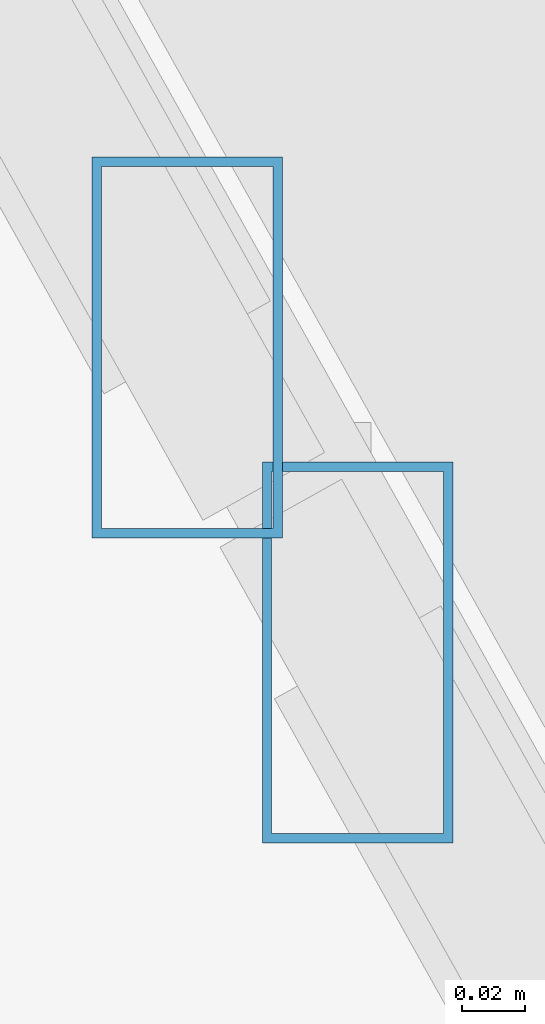
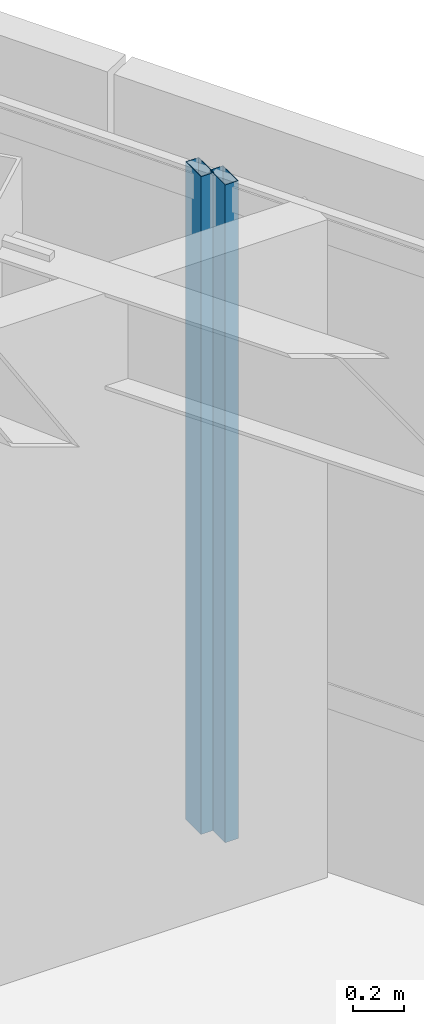
# One storey, part 30 of 48: 2 members, 2 elements without a shape of their own.
"""IFC4 building model written with IfcOpenShell, lengths in metres."""

from ifc_helpers import new_model, si_unit, direction, frame, origin, origin_2d, place, context, subcontext, project, spatial, hollow_rectangle, extrude, source, transform, mapped, material, material_profile, profile_set, type_object, type_shapes, element, aggregate, save


model = new_model("IFC4")

# Units and contexts
model_context = context("Model", 3, precision=1e-05, world=origin(), true_north=direction((0.0, 1.0)))
body_context = subcontext(model_context, "Body", "Model", "MODEL_VIEW")
ifc_project = project(units=[si_unit("LENGTHUNIT", "METRE"), si_unit("AREAUNIT", "SQUARE_METRE"), si_unit("VOLUMEUNIT", "CUBIC_METRE"), si_unit("PLANEANGLEUNIT", "RADIAN"), si_unit("MASSUNIT", "GRAM", prefix="KILO")], contexts=[model_context])

# Site, building, storey
site_placement = place(None, origin())
site = spatial("IfcSite", under=ifc_project, at=site_placement, CompositionType="ELEMENT")
building_placement = place(site_placement, origin())
building = spatial("IfcBuilding", under=site, at=building_placement, Name="Caelisora Broadcast Tower", CompositionType="ELEMENT")
storey_placement = place(building_placement, frame((0.0, 0.0, 300.0)))
storey = spatial("IfcBuildingStorey", under=building, at=storey_placement, Name="L79", CompositionType="ELEMENT", Elevation=300.0)

# Curtain wall, member
ifc_material_1 = material(Name="Unitised Aluminium Insulated Shadow-Box Spandrel Curtain Wall", Category="aluminium")
curtain_wall_type = type_object("IfcCurtainWallType", Name="CW-SP3", PredefinedType="NOTDEFINED", material=ifc_material_1)
curtain_wall_1_placement = place(storey_placement, origin())
curtain_wall_1 = element("IfcCurtainWall", 1, at=curtain_wall_1_placement, inside=storey, type_object=curtain_wall_type, Name="L79 curtain wall CW-SP3", PredefinedType="NOTDEFINED")
ifc_material_2 = material(Name="Aluminium 6063-T6 Anodised Terracotta Bronze", Category="aluminium")
ifc_material_profile = material_profile(ifc_material_2, hollow_rectangle(XDim=0.06005859375, YDim=0.1201171875, WallThickness=0.0029296875, at=origin_2d()), Name="Aluminium 6063-T6 Anodised Terracotta Bronze")
ifc_profile_set = profile_set([ifc_material_profile], Name="Aluminium 6063-T6 Anodised Terracotta Bronze")
member_type = type_object("IfcMemberType", Name="CWM-04", PredefinedType="MULLION", material=ifc_profile_set)
shared_shape = source(origin(), body_context, "Body", "SweptSolid", [
    extrude(hollow_rectangle(XDim=0.06005859375, YDim=0.1201171875, WallThickness=0.0029296875, at=origin_2d()), origin(), (0.0, 0.0, 1.0), 3.14990234375),
])
type_shapes(member_type, [shared_shape])
member_1_placement = place(storey_placement, frame((53.995849609375, 25.4716796875, 0.0), z_axis=(0.0, 0.0, 1.0), x_axis=(1.0, 0.0, 0.0)))
member_1 = element("IfcMember", 2, at=member_1_placement, type_object=member_type, Name="L79-CW-B02 mullion #3", PredefinedType="MULLION", context=body_context, shape_type="MappedRepresentation", body=[
    mapped(shared_shape, transform((0.0, 0.0, 0.0), scale=1.0)),
])
aggregate(curtain_wall_1, [member_1])

curtain_wall_2_placement = place(storey_placement, origin())
curtain_wall_2 = element("IfcCurtainWall", 3, at=curtain_wall_2_placement, inside=storey, type_object=curtain_wall_type, Name="L79 curtain wall CW-SP3", PredefinedType="NOTDEFINED")
member_2_placement = place(storey_placement, frame((54.049560546875, 25.37548828125, 0.0), z_axis=(0.0, 0.0, 1.0), x_axis=(1.0, 0.0, 0.0)))
member_2 = element("IfcMember", 4, at=member_2_placement, type_object=member_type, Name="L79-CW-B03 mullion #0", PredefinedType="MULLION", context=body_context, shape_type="MappedRepresentation", body=[
    mapped(shared_shape, transform((0.0, 0.0, 0.0), scale=1.0)),
])
aggregate(curtain_wall_2, [member_2])

save(model, "model.ifc")
